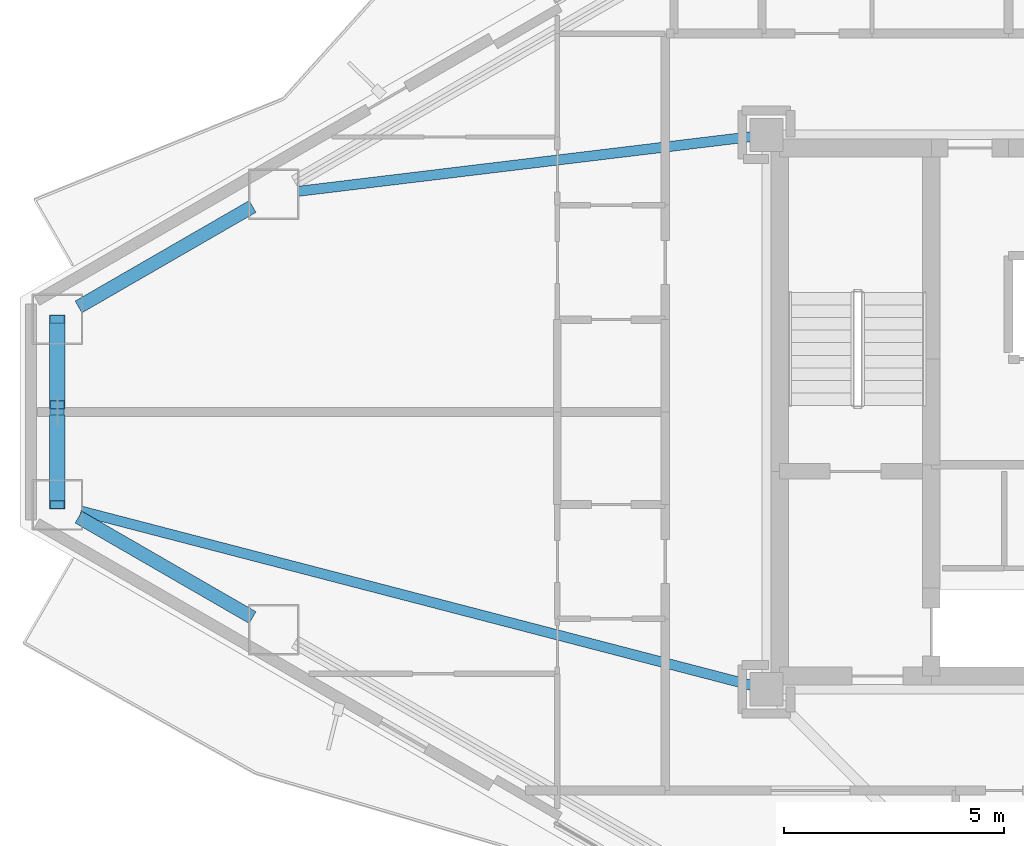
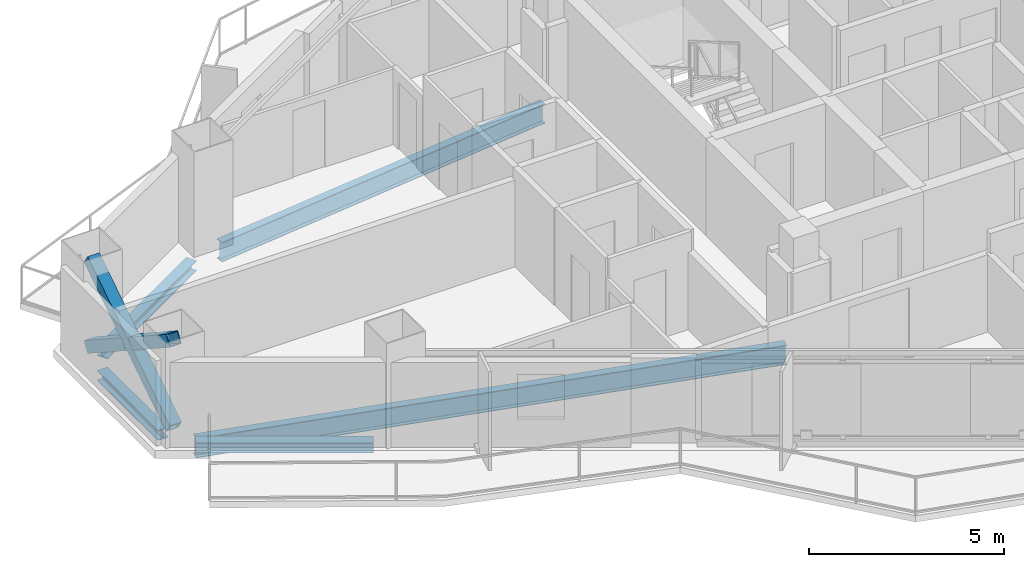
# One storey, part 5 of 22: 5 beams, 3 members.
"""IFC4 building model written with IfcOpenShell, lengths in metres."""

from ifc_helpers import new_model, si_unit, direction, frame, origin, origin_2d, place, context, subcontext, project, spatial, hollow_rectangle, i_section, extrude, material, material_profile, profile_set, type_object, element, save


model = new_model("IFC4")

# Units and contexts
model_context = context("Model", 3, precision=1e-05, world=origin(), true_north=direction((0.0, 1.0)))
body_context = subcontext(model_context, "Body", "Model", "MODEL_VIEW")
ifc_project = project(units=[si_unit("LENGTHUNIT", "METRE"), si_unit("AREAUNIT", "SQUARE_METRE"), si_unit("VOLUMEUNIT", "CUBIC_METRE"), si_unit("PLANEANGLEUNIT", "RADIAN"), si_unit("MASSUNIT", "GRAM", prefix="KILO")], contexts=[model_context])

# Site, building, storey
site_placement = place(None, origin())
site = spatial("IfcSite", under=ifc_project, at=site_placement, CompositionType="ELEMENT")
building_placement = place(site_placement, origin())
building = spatial("IfcBuilding", under=site, at=building_placement, Name="Mersakhor Tower and Convention Hall", CompositionType="ELEMENT")
storey_placement = place(building_placement, frame((0.0, 0.0, 103.199951171875)))
storey = spatial("IfcBuildingStorey", under=building, at=storey_placement, Name="L28", CompositionType="ELEMENT", Elevation=103.199951171875)

# Beams
ifc_material_1 = material(Name="Steel S355", Category="steel")
ifc_material_profile_1 = material_profile(ifc_material_1, i_section(OverallWidth=0.22900390625, OverallDepth=0.6123046875, WebThickness=0.011962890625, FlangeThickness=0.01953125, at=origin_2d()), Name="UB 610x229x125")
ifc_profile_set_1 = profile_set([ifc_material_profile_1], Name="Steel S355")
beam_type_1 = type_object("IfcBeamType", Name="BM-PR-610", PredefinedType="BEAM", material=ifc_profile_set_1)
beam_1_placement = place(storey_placement, frame((21.547607421875, 33.007568359375, -0.55615234375), z_axis=(-0.992798075666, -0.119799753563, 0.0), x_axis=(0.119799753563, -0.992798075666, 0.0)))
element("IfcBeam", 1, at=beam_1_placement, inside=storey, type_object=beam_type_1, Name="L28 Primary Floor Girder FG-1", PredefinedType="BEAM", context=body_context, shape_type="SweptSolid", body=[
    extrude(i_section(OverallWidth=0.22900390625, OverallDepth=0.6123046875, WebThickness=0.011962890625, FlangeThickness=0.01953125, at=origin_2d()), origin(), (0.0, 0.0, 1.0), 10.368896484375),
])
beam_2_placement = place(storey_placement, frame((21.556396484375, 20.539306640625, -0.55615234375), z_axis=(-0.967826964314, 0.251616706812, 0.0), x_axis=(-0.251616706812, -0.967826964314, 0.0)))
element("IfcBeam", 2, at=beam_2_placement, inside=storey, type_object=beam_type_1, Name="L28 Primary Floor Girder FG-6", PredefinedType="BEAM", context=body_context, shape_type="SweptSolid", body=[
    extrude(i_section(OverallWidth=0.22900390625, OverallDepth=0.6123046875, WebThickness=0.011962890625, FlangeThickness=0.01953125, at=origin_2d()), origin(), (0.0, 0.0, 1.0), 15.739013671875),
])
ifc_material_2 = material(Name="Steel S355", Category="steel")
ifc_material_profile_2 = material_profile(ifc_material_2, i_section(OverallWidth=0.30908203125, OverallDepth=0.320556640625, WebThickness=0.013916015625, FlangeThickness=0.021728515625, at=origin_2d()), Name="UC 305x305x137")
ifc_profile_set_2 = profile_set([ifc_material_profile_2], Name="Steel S355")
beam_type_2 = type_object("IfcBeamType", Name="BM-SPD-UC305", PredefinedType="SPANDREL", material=ifc_profile_set_2)
for number, where, z_axis, x_axis, name in (
    (3, (6.267333984375, 29.13818359375, -0.41015625), (0.866023543838, 0.500003221507, 0.0), (-0.500003221507, 0.866023543838, 0.0), "L28 Perimeter Spandrel Beam SPB-01"),
    (4, (10.221923828125, 22.07861328125, -0.41015625), (-0.866023543838, 0.500003221507, 0.0), (-0.500003221507, -0.866023543838, 0.0), "L28 Perimeter Spandrel Beam SPB-11"),
):
    element("IfcBeam", number, at=place(storey_placement, frame(where, z_axis=z_axis, x_axis=x_axis)), inside=storey, type_object=beam_type_2, Name=name, PredefinedType="SPANDREL", context=body_context, shape_type="SweptSolid", body=[
        extrude(i_section(OverallWidth=0.30908203125, OverallDepth=0.320556640625, WebThickness=0.013916015625, FlangeThickness=0.021728515625, at=origin_2d()), origin(), (0.0, 0.0, 1.0), 4.56640625),
    ])
beam_3_placement = place(storey_placement, frame((5.78662109375, 25.194091796875, -0.41015625), z_axis=(0.0, 1.0, 0.0), x_axis=(-1.0, 0.0, 0.0)))
element("IfcBeam", 5, at=beam_3_placement, inside=storey, type_object=beam_type_2, Name="L28 Perimeter Spandrel Beam SPB-12", PredefinedType="SPANDREL", context=body_context, shape_type="SweptSolid", body=[
    extrude(i_section(OverallWidth=0.30908203125, OverallDepth=0.320556640625, WebThickness=0.013916015625, FlangeThickness=0.021728515625, at=origin_2d()), origin(), (0.0, 0.0, 1.0), 3.11181640625),
])

# Members
ifc_material_3 = material(Name="Steel S460", Category="steel")
ifc_material_profile_3 = material_profile(ifc_material_3, hollow_rectangle(XDim=0.35009765625, YDim=0.35009765625, WallThickness=0.02001953125, at=origin_2d()), Name="SHS 350x350x20")
ifc_profile_set_3 = profile_set([ifc_material_profile_3], Name="Steel S460")
member_type = type_object("IfcMemberType", Name="MB-BRC-SHS350", PredefinedType="BRACE", material=ifc_profile_set_3)
member_1_placement = place(storey_placement, frame((5.78662109375, 24.63916015625, 0.150146484375), z_axis=(0.0, 0.837907380789, 0.54581244143), x_axis=(-1.0, 0.0, 0.0)))
element("IfcMember", 6, at=member_1_placement, inside=storey, type_object=member_type, Name="L28 Chamfer Braced Frame Diagonal CB-3A", PredefinedType="BRACE", context=body_context, shape_type="SweptSolid", body=[
    extrude(hollow_rectangle(XDim=0.35009765625, YDim=0.35009765625, WallThickness=0.02001953125, at=origin_2d()), origin(), (0.0, 0.0, 1.0), 5.038330078125),
])
member_2_placement = place(storey_placement, frame((5.78662109375, 28.86083984375, 0.150146484375), z_axis=(0.0, -0.837928690032, 0.545779727016), x_axis=(1.0, 0.0, 0.0)))
element("IfcMember", 7, at=member_2_placement, inside=storey, type_object=member_type, Name="L28 Chamfer Braced Frame Diagonal CB-3B Lower Half", PredefinedType="BRACE", context=body_context, shape_type="SweptSolid", body=[
    extrude(hollow_rectangle(XDim=0.35009765625, YDim=0.35009765625, WallThickness=0.02001953125, at=origin_2d()), origin(), (0.0, 0.0, 1.0), 2.31982421875),
])
member_3_placement = place(storey_placement, frame((5.78662109375, 26.5830078125, 1.6337890625), z_axis=(0.0, -0.83788056026, 0.54585361292), x_axis=(1.0, 0.0, 0.0)))
element("IfcMember", 8, at=member_3_placement, inside=storey, type_object=member_type, Name="L28 Chamfer Braced Frame Diagonal CB-3B Upper Half", PredefinedType="BRACE", context=body_context, shape_type="SweptSolid", body=[
    extrude(hollow_rectangle(XDim=0.35009765625, YDim=0.35009765625, WallThickness=0.02001953125, at=origin_2d()), origin(), (0.0, 0.0, 1.0), 2.320068359375),
])

save(model, "model.ifc")
